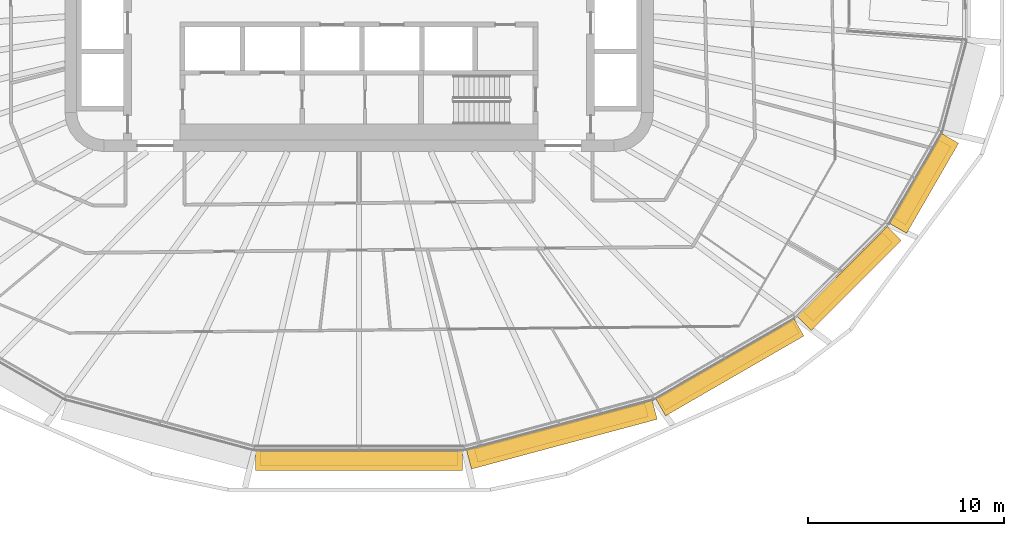
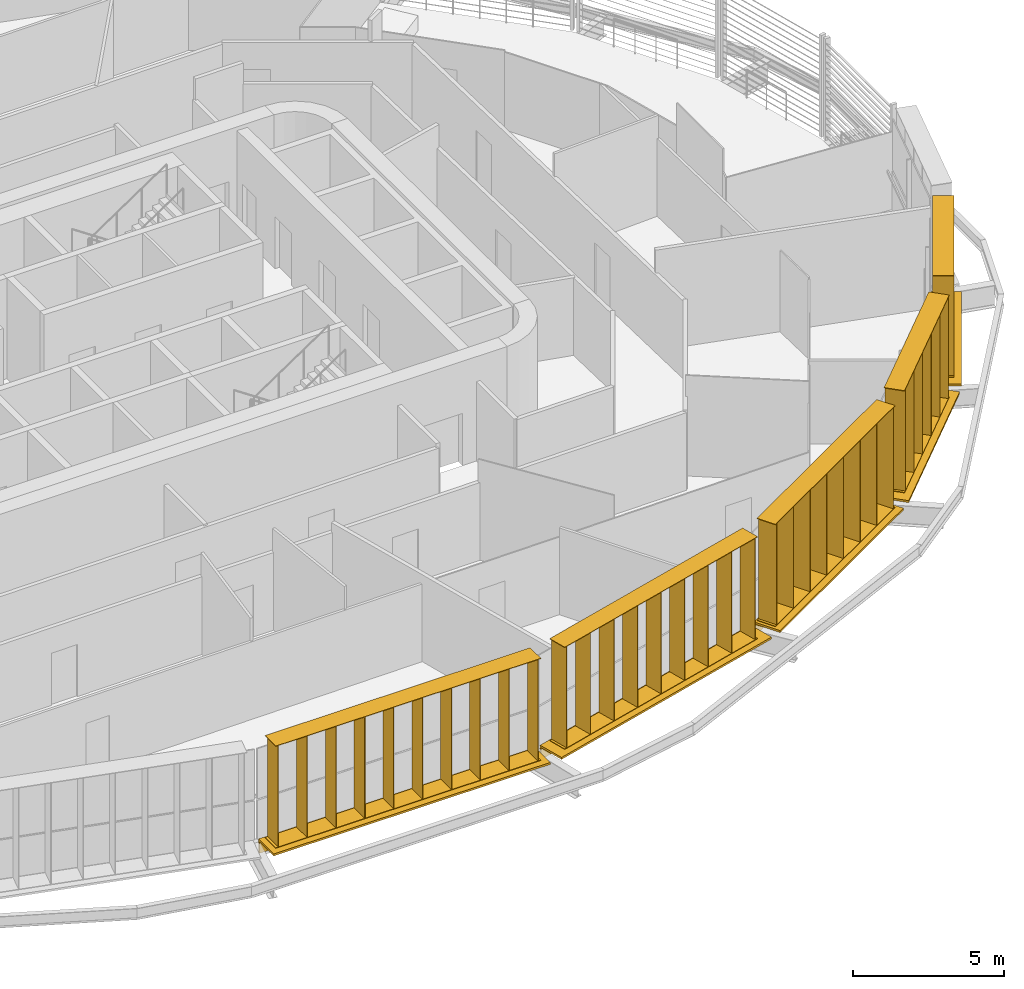
# One storey, part 21 of 24: 10 shading devices.
"""IFC4 building model written with IfcOpenShell, lengths in metres."""

from ifc_helpers import new_model, si_unit, direction, frame, origin, origin_2d, place, context, subcontext, project, spatial, rectangle, extrude, material, type_object, element, save


model = new_model("IFC4")

# Units and contexts
model_context = context("Model", 3, precision=1e-05, world=origin(), true_north=direction((0.0, 1.0)))
body_context = subcontext(model_context, "Body", "Model", "MODEL_VIEW")
ifc_project = project(units=[si_unit("LENGTHUNIT", "METRE"), si_unit("AREAUNIT", "SQUARE_METRE"), si_unit("VOLUMEUNIT", "CUBIC_METRE"), si_unit("PLANEANGLEUNIT", "RADIAN"), si_unit("MASSUNIT", "GRAM", prefix="KILO")], contexts=[model_context])

# Site, building, storey
site_placement = place(None, origin())
site = spatial("IfcSite", under=ifc_project, at=site_placement, CompositionType="ELEMENT")
building_placement = place(site_placement, origin())
building = spatial("IfcBuilding", under=site, at=building_placement, Name="Sahrelin Media Tower", CompositionType="ELEMENT")
storey_placement = place(building_placement, frame((0.0, 0.0, 67.199951171875)))
storey = spatial("IfcBuildingStorey", under=building, at=storey_placement, Name="L11", CompositionType="ELEMENT", Elevation=67.199951171875)

# Shading devices
ifc_material = material(Name="Champagne anodised aluminium 6063-T6", Category="aluminium")
shading_device_type_1 = type_object("IfcShadingDeviceType", Name="Fin cassette", PredefinedType="USERDEFINED", material=ifc_material)
placement_1 = place(storey_placement, frame((0.0, -23.22314453125, 0.0), z_axis=(0.0, 0.0, 1.0), x_axis=(-1.0, 0.0, 0.0)))
element("IfcShadingDevice", 1, at=placement_1, inside=storey, type_object=shading_device_type_1, Name="L11:FIN:L11-18", ObjectType="FIN", PredefinedType="USERDEFINED", context=body_context, shape_type="SweptSolid", body=[
    extrude(rectangle(XDim=10.10009765625, YDim=0.699951171875, at=origin_2d()), frame((0.0, 0.419921875, 0.0)), (0.0, 0.0, 1.0), 0.02001953125),
    extrude(rectangle(XDim=10.10009765625, YDim=0.699951171875, at=origin_2d()), frame((0.0, 0.419921875, 4.10009765625)), (0.0, 0.0, 1.0), 0.02001953125),
    extrude(rectangle(XDim=0.02001953125, YDim=0.699951171875, at=origin_2d()), frame((-4.949951171875, 0.419921875, 0.010009765625), z_axis=(0.0, 0.0, 1.0), x_axis=(1.0, 0.0, 0.0)), (0.0, 0.0, 1.0), 4.10009765625),
    extrude(rectangle(XDim=0.02001953125, YDim=0.699951171875, at=origin_2d()), frame((-3.85009765625, 0.419921875, 0.010009765625), z_axis=(0.0, 0.0, 1.0), x_axis=(1.0, 0.0, 0.0)), (0.0, 0.0, 1.0), 4.10009765625),
    extrude(rectangle(XDim=0.02001953125, YDim=0.699951171875, at=origin_2d()), frame((-2.75, 0.419921875, 0.010009765625), z_axis=(0.0, 0.0, 1.0), x_axis=(1.0, 0.0, 0.0)), (0.0, 0.0, 1.0), 4.10009765625),
    extrude(rectangle(XDim=0.02001953125, YDim=0.699951171875, at=origin_2d()), frame((-1.64990234375, 0.419921875, 0.010009765625), z_axis=(0.0, 0.0, 1.0), x_axis=(1.0, 0.0, 0.0)), (0.0, 0.0, 1.0), 4.10009765625),
    extrude(rectangle(XDim=0.02001953125, YDim=0.699951171875, at=origin_2d()), frame((-0.550048828125, 0.419921875, 0.010009765625), z_axis=(0.0, 0.0, 1.0), x_axis=(1.0, 0.0, 0.0)), (0.0, 0.0, 1.0), 4.10009765625),
    extrude(rectangle(XDim=0.02001953125, YDim=0.699951171875, at=origin_2d()), frame((0.550048828125, 0.419921875, 0.010009765625), z_axis=(0.0, 0.0, 1.0), x_axis=(1.0, 0.0, 0.0)), (0.0, 0.0, 1.0), 4.10009765625),
    extrude(rectangle(XDim=0.02001953125, YDim=0.699951171875, at=origin_2d()), frame((1.64990234375, 0.419921875, 0.010009765625), z_axis=(0.0, 0.0, 1.0), x_axis=(1.0, 0.0, 0.0)), (0.0, 0.0, 1.0), 4.10009765625),
    extrude(rectangle(XDim=0.02001953125, YDim=0.699951171875, at=origin_2d()), frame((2.75, 0.419921875, 0.010009765625), z_axis=(0.0, 0.0, 1.0), x_axis=(1.0, 0.0, 0.0)), (0.0, 0.0, 1.0), 4.10009765625),
    extrude(rectangle(XDim=0.02001953125, YDim=0.699951171875, at=origin_2d()), frame((3.85009765625, 0.419921875, 0.010009765625), z_axis=(0.0, 0.0, 1.0), x_axis=(1.0, 0.0, 0.0)), (0.0, 0.0, 1.0), 4.10009765625),
    extrude(rectangle(XDim=0.02001953125, YDim=0.699951171875, at=origin_2d()), frame((4.949951171875, 0.419921875, 0.010009765625), z_axis=(0.0, 0.0, 1.0), x_axis=(1.0, 0.0, 0.0)), (0.0, 0.0, 1.0), 4.10009765625),
])
placement_2 = place(storey_placement, frame((10.200439453125, -21.928955078125, 0.0), z_axis=(0.0, 0.0, 1.0), x_axis=(-0.965928857556, -0.258807731996, 0.0)))
element("IfcShadingDevice", 2, at=placement_2, inside=storey, type_object=shading_device_type_1, Name="L11:FIN:L11-19", ObjectType="FIN", PredefinedType="USERDEFINED", context=body_context, shape_type="SweptSolid", body=[
    extrude(rectangle(XDim=9.0, YDim=0.699951171875, at=origin_2d()), frame((0.0, 0.419921875, 0.0)), (0.0, 0.0, 1.0), 0.02001953125),
    extrude(rectangle(XDim=9.0, YDim=0.699951171875, at=origin_2d()), frame((0.0, 0.419921875, 4.10009765625)), (0.0, 0.0, 1.0), 0.02001953125),
    extrude(rectangle(XDim=0.02001953125, YDim=0.699951171875, at=origin_2d()), frame((-4.39990234375, 0.419921875, 0.010009765625), z_axis=(0.0, 0.0, 1.0), x_axis=(1.0, 0.0, 0.0)), (0.0, 0.0, 1.0), 4.10009765625),
    extrude(rectangle(XDim=0.02001953125, YDim=0.699951171875, at=origin_2d()), frame((-3.300048828125, 0.419921875, 0.010009765625), z_axis=(0.0, 0.0, 1.0), x_axis=(1.0, 0.0, 0.0)), (0.0, 0.0, 1.0), 4.10009765625),
    extrude(rectangle(XDim=0.02001953125, YDim=0.699951171875, at=origin_2d()), frame((-2.199951171875, 0.419921875, 0.010009765625), z_axis=(0.0, 0.0, 1.0), x_axis=(1.0, 0.0, 0.0)), (0.0, 0.0, 1.0), 4.10009765625),
    extrude(rectangle(XDim=0.02001953125, YDim=0.699951171875, at=origin_2d()), frame((-1.10009765625, 0.419921875, 0.010009765625), z_axis=(0.0, 0.0, 1.0), x_axis=(1.0, 0.0, 0.0)), (0.0, 0.0, 1.0), 4.10009765625),
    extrude(rectangle(XDim=0.02001953125, YDim=0.699951171875, at=origin_2d()), frame((0.0, 0.419921875, 0.010009765625), z_axis=(0.0, 0.0, 1.0), x_axis=(1.0, 0.0, 0.0)), (0.0, 0.0, 1.0), 4.10009765625),
    extrude(rectangle(XDim=0.02001953125, YDim=0.699951171875, at=origin_2d()), frame((1.10009765625, 0.419921875, 0.010009765625), z_axis=(0.0, 0.0, 1.0), x_axis=(1.0, 0.0, 0.0)), (0.0, 0.0, 1.0), 4.10009765625),
    extrude(rectangle(XDim=0.02001953125, YDim=0.699951171875, at=origin_2d()), frame((2.199951171875, 0.419921875, 0.010009765625), z_axis=(0.0, 0.0, 1.0), x_axis=(1.0, 0.0, 0.0)), (0.0, 0.0, 1.0), 4.10009765625),
    extrude(rectangle(XDim=0.02001953125, YDim=0.699951171875, at=origin_2d()), frame((3.300048828125, 0.419921875, 0.010009765625), z_axis=(0.0, 0.0, 1.0), x_axis=(1.0, 0.0, 0.0)), (0.0, 0.0, 1.0), 4.10009765625),
    extrude(rectangle(XDim=0.02001953125, YDim=0.699951171875, at=origin_2d()), frame((4.39990234375, 0.419921875, 0.010009765625), z_axis=(0.0, 0.0, 1.0), x_axis=(1.0, 0.0, 0.0)), (0.0, 0.0, 1.0), 4.10009765625),
])
placement_3 = place(storey_placement, frame((18.6416015625, -18.5498046875, 0.0), z_axis=(0.0, 0.0, 1.0), x_axis=(-0.866019052629, -0.500011000363, 0.0)))
element("IfcShadingDevice", 3, at=placement_3, inside=storey, type_object=shading_device_type_1, Name="L11:FIN:L11-20", ObjectType="FIN", PredefinedType="USERDEFINED", context=body_context, shape_type="SweptSolid", body=[
    extrude(rectangle(XDim=7.89990234375, YDim=0.699951171875, at=origin_2d()), frame((0.0, 0.419921875, 0.0)), (0.0, 0.0, 1.0), 0.02001953125),
    extrude(rectangle(XDim=7.89990234375, YDim=0.699951171875, at=origin_2d()), frame((0.0, 0.419921875, 4.10009765625)), (0.0, 0.0, 1.0), 0.02001953125),
    extrude(rectangle(XDim=0.02001953125, YDim=0.699951171875, at=origin_2d()), frame((-3.85009765625, 0.419921875, 0.010009765625), z_axis=(0.0, 0.0, 1.0), x_axis=(1.0, 0.0, 0.0)), (0.0, 0.0, 1.0), 4.10009765625),
    extrude(rectangle(XDim=0.02001953125, YDim=0.699951171875, at=origin_2d()), frame((-2.75, 0.419921875, 0.010009765625), z_axis=(0.0, 0.0, 1.0), x_axis=(1.0, 0.0, 0.0)), (0.0, 0.0, 1.0), 4.10009765625),
    extrude(rectangle(XDim=0.02001953125, YDim=0.699951171875, at=origin_2d()), frame((-1.64990234375, 0.419921875, 0.010009765625), z_axis=(0.0, 0.0, 1.0), x_axis=(1.0, 0.0, 0.0)), (0.0, 0.0, 1.0), 4.10009765625),
    extrude(rectangle(XDim=0.02001953125, YDim=0.699951171875, at=origin_2d()), frame((-0.550048828125, 0.419921875, 0.010009765625), z_axis=(0.0, 0.0, 1.0), x_axis=(1.0, 0.0, 0.0)), (0.0, 0.0, 1.0), 4.10009765625),
    extrude(rectangle(XDim=0.02001953125, YDim=0.699951171875, at=origin_2d()), frame((0.550048828125, 0.419921875, 0.010009765625), z_axis=(0.0, 0.0, 1.0), x_axis=(1.0, 0.0, 0.0)), (0.0, 0.0, 1.0), 4.10009765625),
    extrude(rectangle(XDim=0.02001953125, YDim=0.699951171875, at=origin_2d()), frame((1.64990234375, 0.419921875, 0.010009765625), z_axis=(0.0, 0.0, 1.0), x_axis=(1.0, 0.0, 0.0)), (0.0, 0.0, 1.0), 4.10009765625),
    extrude(rectangle(XDim=0.02001953125, YDim=0.699951171875, at=origin_2d()), frame((2.75, 0.419921875, 0.010009765625), z_axis=(0.0, 0.0, 1.0), x_axis=(1.0, 0.0, 0.0)), (0.0, 0.0, 1.0), 4.10009765625),
    extrude(rectangle(XDim=0.02001953125, YDim=0.699951171875, at=origin_2d()), frame((3.85009765625, 0.419921875, 0.010009765625), z_axis=(0.0, 0.0, 1.0), x_axis=(1.0, 0.0, 0.0)), (0.0, 0.0, 1.0), 4.10009765625),
])
placement_4 = place(storey_placement, frame((24.616455078125, -14.101318359375, 0.0), z_axis=(0.0, 0.0, 1.0), x_axis=(-0.707106781187, -0.707106781187, 0.0)))
element("IfcShadingDevice", 4, at=placement_4, inside=storey, type_object=shading_device_type_1, Name="L11:FIN:L11-21", ObjectType="FIN", PredefinedType="USERDEFINED", context=body_context, shape_type="SweptSolid", body=[
    extrude(rectangle(XDim=5.699951171875, YDim=0.699951171875, at=origin_2d()), frame((0.0, 0.419921875, 0.0)), (0.0, 0.0, 1.0), 0.02001953125),
    extrude(rectangle(XDim=5.699951171875, YDim=0.699951171875, at=origin_2d()), frame((0.0, 0.419921875, 4.10009765625)), (0.0, 0.0, 1.0), 0.02001953125),
    extrude(rectangle(XDim=0.02001953125, YDim=0.699951171875, at=origin_2d()), frame((-2.75, 0.419921875, 0.010009765625), z_axis=(0.0, 0.0, 1.0), x_axis=(1.0, 0.0, 0.0)), (0.0, 0.0, 1.0), 4.10009765625),
    extrude(rectangle(XDim=0.02001953125, YDim=0.699951171875, at=origin_2d()), frame((-1.64990234375, 0.419921875, 0.010009765625), z_axis=(0.0, 0.0, 1.0), x_axis=(1.0, 0.0, 0.0)), (0.0, 0.0, 1.0), 4.10009765625),
    extrude(rectangle(XDim=0.02001953125, YDim=0.699951171875, at=origin_2d()), frame((-0.550048828125, 0.419921875, 0.010009765625), z_axis=(0.0, 0.0, 1.0), x_axis=(1.0, 0.0, 0.0)), (0.0, 0.0, 1.0), 4.10009765625),
    extrude(rectangle(XDim=0.02001953125, YDim=0.699951171875, at=origin_2d()), frame((0.550048828125, 0.419921875, 0.010009765625), z_axis=(0.0, 0.0, 1.0), x_axis=(1.0, 0.0, 0.0)), (0.0, 0.0, 1.0), 4.10009765625),
    extrude(rectangle(XDim=0.02001953125, YDim=0.699951171875, at=origin_2d()), frame((1.64990234375, 0.419921875, 0.010009765625), z_axis=(0.0, 0.0, 1.0), x_axis=(1.0, 0.0, 0.0)), (0.0, 0.0, 1.0), 4.10009765625),
    extrude(rectangle(XDim=0.02001953125, YDim=0.699951171875, at=origin_2d()), frame((2.75, 0.419921875, 0.010009765625), z_axis=(0.0, 0.0, 1.0), x_axis=(1.0, 0.0, 0.0)), (0.0, 0.0, 1.0), 4.10009765625),
])
placement_5 = place(storey_placement, frame((28.354736328125, -9.356689453125, 0.0), z_axis=(0.0, 0.0, 1.0), x_axis=(-0.500011000363, -0.866019052629, 0.0)))
element("IfcShadingDevice", 5, at=placement_5, inside=storey, type_object=shading_device_type_1, Name="L11:FIN:L11-22", ObjectType="FIN", PredefinedType="USERDEFINED", context=body_context, shape_type="SweptSolid", body=[
    extrude(rectangle(XDim=4.60009765625, YDim=0.699951171875, at=origin_2d()), frame((0.0, 0.419921875, 0.0)), (0.0, 0.0, 1.0), 0.02001953125),
    extrude(rectangle(XDim=4.60009765625, YDim=0.699951171875, at=origin_2d()), frame((0.0, 0.419921875, 4.10009765625)), (0.0, 0.0, 1.0), 0.02001953125),
    extrude(rectangle(XDim=0.02001953125, YDim=0.699951171875, at=origin_2d()), frame((-2.199951171875, 0.419921875, 0.010009765625), z_axis=(0.0, 0.0, 1.0), x_axis=(1.0, 0.0, 0.0)), (0.0, 0.0, 1.0), 4.10009765625),
    extrude(rectangle(XDim=0.02001953125, YDim=0.699951171875, at=origin_2d()), frame((-1.10009765625, 0.419921875, 0.010009765625), z_axis=(0.0, 0.0, 1.0), x_axis=(1.0, 0.0, 0.0)), (0.0, 0.0, 1.0), 4.10009765625),
    extrude(rectangle(XDim=0.02001953125, YDim=0.699951171875, at=origin_2d()), frame((0.0, 0.419921875, 0.010009765625), z_axis=(0.0, 0.0, 1.0), x_axis=(1.0, 0.0, 0.0)), (0.0, 0.0, 1.0), 4.10009765625),
    extrude(rectangle(XDim=0.02001953125, YDim=0.699951171875, at=origin_2d()), frame((1.10009765625, 0.419921875, 0.010009765625), z_axis=(0.0, 0.0, 1.0), x_axis=(1.0, 0.0, 0.0)), (0.0, 0.0, 1.0), 4.10009765625),
    extrude(rectangle(XDim=0.02001953125, YDim=0.699951171875, at=origin_2d()), frame((2.199951171875, 0.419921875, 0.010009765625), z_axis=(0.0, 0.0, 1.0), x_axis=(1.0, 0.0, 0.0)), (0.0, 0.0, 1.0), 4.10009765625),
])
shading_device_type_2 = type_object("IfcShadingDeviceType", Name="Sunshade band", PredefinedType="USERDEFINED", material=ifc_material)
element("IfcShadingDevice", 6, at=placement_1, inside=storey, type_object=shading_device_type_2, Name="L11:SUN:L11-18", ObjectType="SUNSHADE", PredefinedType="USERDEFINED", context=body_context, shape_type="SweptSolid", body=[
    extrude(rectangle(XDim=10.540771484375, YDim=0.050048828125, at=origin_2d()), frame((0.0, 0.044921875, -0.55126953125)), (0.0, 0.0, 1.0), 0.471435546875),
    extrude(rectangle(XDim=10.540771484375, YDim=1.0, at=origin_2d()), frame((0.0, 0.52001953125, -0.080078125)), (0.0, 0.0, 1.0), 0.080078125),
    extrude(rectangle(XDim=0.10009765625, YDim=0.074951171875, at=origin_2d()), frame((-5.17041015625, -0.017578125, -0.47021484375)), (0.0, 0.0, 1.0), 0.300048828125),
    extrude(rectangle(XDim=0.10009765625, YDim=0.074951171875, at=origin_2d()), frame((-3.447021484375, -0.017578125, -0.47021484375)), (0.0, 0.0, 1.0), 0.300048828125),
    extrude(rectangle(XDim=0.10009765625, YDim=0.074951171875, at=origin_2d()), frame((-1.723388671875, -0.017578125, -0.47021484375)), (0.0, 0.0, 1.0), 0.300048828125),
    extrude(rectangle(XDim=0.10009765625, YDim=0.074951171875, at=origin_2d()), frame((0.0, -0.017578125, -0.47021484375)), (0.0, 0.0, 1.0), 0.300048828125),
    extrude(rectangle(XDim=0.10009765625, YDim=0.074951171875, at=origin_2d()), frame((1.723388671875, -0.017578125, -0.47021484375)), (0.0, 0.0, 1.0), 0.300048828125),
    extrude(rectangle(XDim=0.10009765625, YDim=0.074951171875, at=origin_2d()), frame((3.447021484375, -0.017578125, -0.47021484375)), (0.0, 0.0, 1.0), 0.300048828125),
    extrude(rectangle(XDim=0.10009765625, YDim=0.074951171875, at=origin_2d()), frame((5.17041015625, -0.017578125, -0.47021484375)), (0.0, 0.0, 1.0), 0.300048828125),
])
element("IfcShadingDevice", 7, at=placement_2, inside=storey, type_object=shading_device_type_2, Name="L11:SUN:L11-19", ObjectType="SUNSHADE", PredefinedType="USERDEFINED", context=body_context, shape_type="SweptSolid", body=[
    extrude(rectangle(XDim=9.801025390625, YDim=0.050048828125, at=origin_2d()), frame((0.0, 0.044921875, -0.55126953125)), (0.0, 0.0, 1.0), 0.471435546875),
    extrude(rectangle(XDim=9.801025390625, YDim=1.0, at=origin_2d()), frame((0.0, 0.52001953125, -0.080078125)), (0.0, 0.0, 1.0), 0.080078125),
    extrude(rectangle(XDim=0.10009765625, YDim=0.074951171875, at=origin_2d()), frame((-4.800537109375, -0.017578125, -0.47021484375)), (0.0, 0.0, 1.0), 0.300048828125),
    extrude(rectangle(XDim=0.10009765625, YDim=0.074951171875, at=origin_2d()), frame((-2.88037109375, -0.017578125, -0.47021484375)), (0.0, 0.0, 1.0), 0.300048828125),
    extrude(rectangle(XDim=0.10009765625, YDim=0.074951171875, at=origin_2d()), frame((-0.960205078125, -0.017578125, -0.47021484375)), (0.0, 0.0, 1.0), 0.300048828125),
    extrude(rectangle(XDim=0.10009765625, YDim=0.074951171875, at=origin_2d()), frame((0.960205078125, -0.017578125, -0.47021484375)), (0.0, 0.0, 1.0), 0.300048828125),
    extrude(rectangle(XDim=0.10009765625, YDim=0.074951171875, at=origin_2d()), frame((2.88037109375, -0.017578125, -0.47021484375)), (0.0, 0.0, 1.0), 0.300048828125),
    extrude(rectangle(XDim=0.10009765625, YDim=0.074951171875, at=origin_2d()), frame((4.800537109375, -0.017578125, -0.47021484375)), (0.0, 0.0, 1.0), 0.300048828125),
])
element("IfcShadingDevice", 8, at=placement_3, inside=storey, type_object=shading_device_type_2, Name="L11:SUN:L11-20", ObjectType="SUNSHADE", PredefinedType="USERDEFINED", context=body_context, shape_type="SweptSolid", body=[
    extrude(rectangle(XDim=8.139404296875, YDim=0.050048828125, at=origin_2d()), frame((0.0, 0.044921875, -0.55126953125)), (0.0, 0.0, 1.0), 0.471435546875),
    extrude(rectangle(XDim=8.139404296875, YDim=1.0, at=origin_2d()), frame((0.0, 0.52001953125, -0.080078125)), (0.0, 0.0, 1.0), 0.080078125),
    extrude(rectangle(XDim=0.10009765625, YDim=0.074951171875, at=origin_2d()), frame((-3.9697265625, -0.017578125, -0.47021484375)), (0.0, 0.0, 1.0), 0.300048828125),
    extrude(rectangle(XDim=0.10009765625, YDim=0.074951171875, at=origin_2d()), frame((-2.3818359375, -0.017578125, -0.47021484375)), (0.0, 0.0, 1.0), 0.300048828125),
    extrude(rectangle(XDim=0.10009765625, YDim=0.074951171875, at=origin_2d()), frame((-0.7939453125, -0.017578125, -0.47021484375)), (0.0, 0.0, 1.0), 0.300048828125),
    extrude(rectangle(XDim=0.10009765625, YDim=0.074951171875, at=origin_2d()), frame((0.7939453125, -0.017578125, -0.47021484375)), (0.0, 0.0, 1.0), 0.300048828125),
    extrude(rectangle(XDim=0.10009765625, YDim=0.074951171875, at=origin_2d()), frame((2.3818359375, -0.017578125, -0.47021484375)), (0.0, 0.0, 1.0), 0.300048828125),
    extrude(rectangle(XDim=0.10009765625, YDim=0.074951171875, at=origin_2d()), frame((3.9697265625, -0.017578125, -0.47021484375)), (0.0, 0.0, 1.0), 0.300048828125),
])
element("IfcShadingDevice", 9, at=placement_4, inside=storey, type_object=shading_device_type_2, Name="L11:SUN:L11-21", ObjectType="SUNSHADE", PredefinedType="USERDEFINED", context=body_context, shape_type="SweptSolid", body=[
    extrude(rectangle(XDim=6.4853515625, YDim=0.050048828125, at=origin_2d()), frame((0.0, 0.044921875, -0.55126953125)), (0.0, 0.0, 1.0), 0.471435546875),
    extrude(rectangle(XDim=6.4853515625, YDim=1.0, at=origin_2d()), frame((0.0, 0.52001953125, -0.080078125)), (0.0, 0.0, 1.0), 0.080078125),
    extrude(rectangle(XDim=0.10009765625, YDim=0.074951171875, at=origin_2d()), frame((-3.142578125, -0.017578125, -0.47021484375)), (0.0, 0.0, 1.0), 0.300048828125),
    extrude(rectangle(XDim=0.10009765625, YDim=0.074951171875, at=origin_2d()), frame((-1.5712890625, -0.017578125, -0.47021484375)), (0.0, 0.0, 1.0), 0.300048828125),
    extrude(rectangle(XDim=0.10009765625, YDim=0.074951171875, at=origin_2d()), frame((0.0, -0.017578125, -0.47021484375)), (0.0, 0.0, 1.0), 0.300048828125),
    extrude(rectangle(XDim=0.10009765625, YDim=0.074951171875, at=origin_2d()), frame((1.5712890625, -0.017578125, -0.47021484375)), (0.0, 0.0, 1.0), 0.300048828125),
    extrude(rectangle(XDim=0.10009765625, YDim=0.074951171875, at=origin_2d()), frame((3.142578125, -0.017578125, -0.47021484375)), (0.0, 0.0, 1.0), 0.300048828125),
])
element("IfcShadingDevice", 10, at=placement_5, inside=storey, type_object=shading_device_type_2, Name="L11:SUN:L11-22", ObjectType="SUNSHADE", PredefinedType="USERDEFINED", context=body_context, shape_type="SweptSolid", body=[
    extrude(rectangle(XDim=5.299072265625, YDim=0.050048828125, at=origin_2d()), frame((0.0, 0.044921875, -0.55126953125)), (0.0, 0.0, 1.0), 0.471435546875),
    extrude(rectangle(XDim=5.299072265625, YDim=1.0, at=origin_2d()), frame((0.0, 0.52001953125, -0.080078125)), (0.0, 0.0, 1.0), 0.080078125),
    extrude(rectangle(XDim=0.10009765625, YDim=0.074951171875, at=origin_2d()), frame((-2.549560546875, -0.017578125, -0.47021484375)), (0.0, 0.0, 1.0), 0.300048828125),
    extrude(rectangle(XDim=0.10009765625, YDim=0.074951171875, at=origin_2d()), frame((-0.849853515625, -0.017578125, -0.47021484375)), (0.0, 0.0, 1.0), 0.300048828125),
    extrude(rectangle(XDim=0.10009765625, YDim=0.074951171875, at=origin_2d()), frame((0.849853515625, -0.017578125, -0.47021484375)), (0.0, 0.0, 1.0), 0.300048828125),
    extrude(rectangle(XDim=0.10009765625, YDim=0.074951171875, at=origin_2d()), frame((2.549560546875, -0.017578125, -0.47021484375)), (0.0, 0.0, 1.0), 0.300048828125),
])

save(model, "model.ifc")
